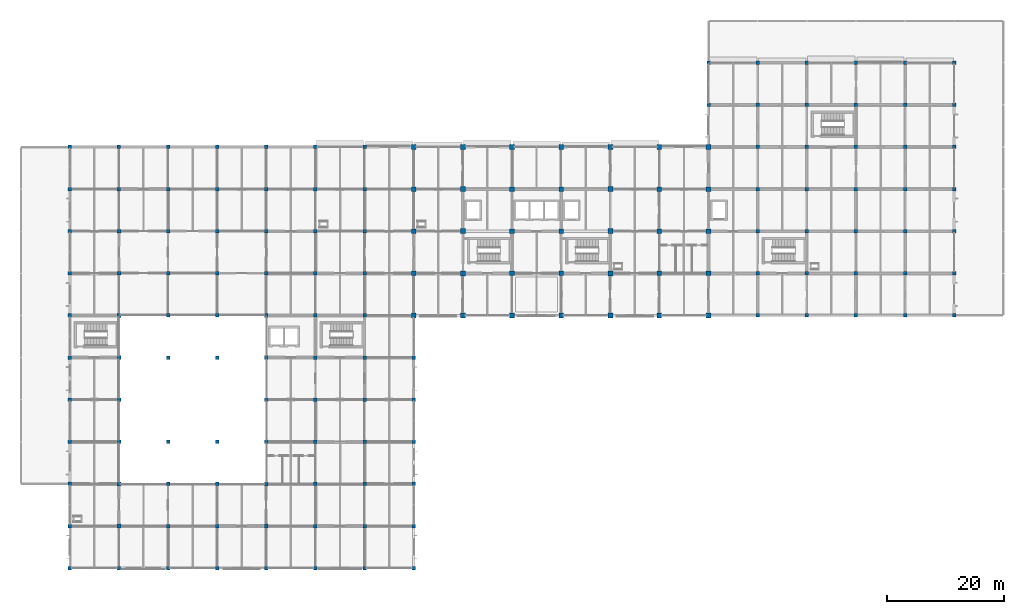
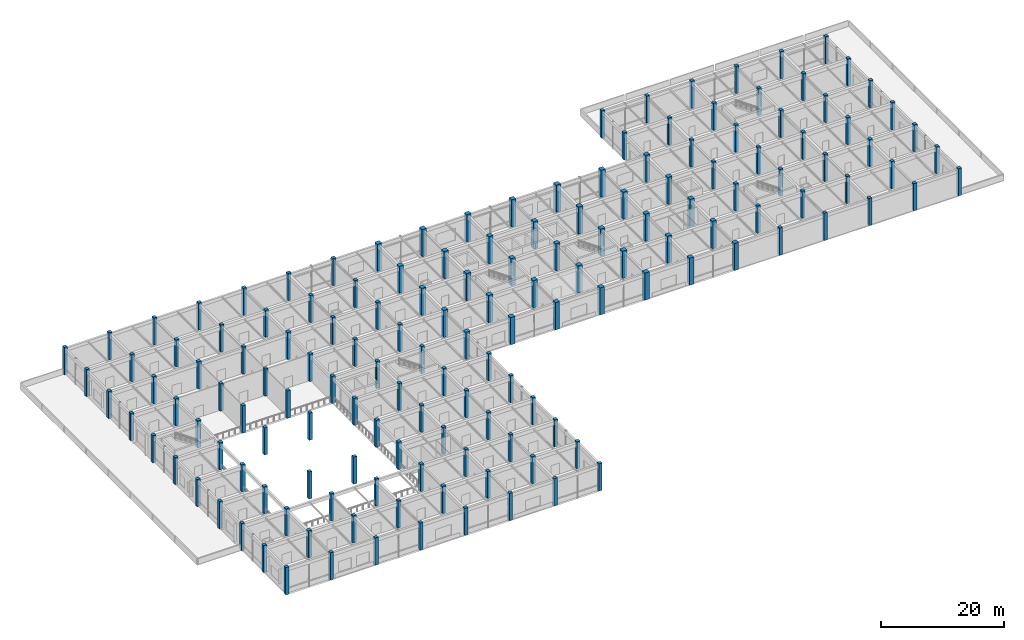
# One storey, part 1 of 38: 153 columns.
"""IFC4 building model written with IfcOpenShell, lengths in metres."""

from ifc_helpers import new_model, si_unit, derived_unit, direction, frame, origin, origin_2d, place, context, subcontext, project, spatial, rectangle, extrude, material, material_profile, profile_set, type_object, element, save


model = new_model("IFC4")

# Units and contexts
model_context = context("Model", 3, precision=1e-05, world=origin(), true_north=direction((0.0, 1.0)))
body_context = subcontext(model_context, "Body", "Model", "MODEL_VIEW")
ifc_project = project(units=[si_unit("LENGTHUNIT", "METRE"), si_unit("AREAUNIT", "SQUARE_METRE"), si_unit("VOLUMEUNIT", "CUBIC_METRE"), si_unit("PLANEANGLEUNIT", "RADIAN"), si_unit("MASSUNIT", "GRAM", prefix="KILO"), derived_unit("THERMALTRANSMITTANCEUNIT", [(si_unit("MASSUNIT", "GRAM", prefix="KILO"), 1), (si_unit("TIMEUNIT", "SECOND"), -3), (si_unit("THERMODYNAMICTEMPERATUREUNIT", "KELVIN"), -1)])], contexts=[model_context])

# Site, building, storey
site_placement = place(None, origin())
site = spatial("IfcSite", under=ifc_project, at=site_placement, CompositionType="ELEMENT")
building_placement = place(site_placement, origin())
building = spatial("IfcBuilding", under=site, at=building_placement, Name="Veldstrom Oceanarium and Marine Research Institute", CompositionType="ELEMENT")
storey_placement = place(building_placement, frame((0.0, 0.0, 11.39990234375)))
storey = spatial("IfcBuildingStorey", under=building, at=storey_placement, Name="L02", CompositionType="ELEMENT", Elevation=11.39990234375)

# Columns
ifc_material_1 = material(Name="Concrete C50/60", Category="concrete")
ifc_material_profile_1 = material_profile(ifc_material_1, rectangle(XDim=0.85009765625, YDim=0.85009765625, at=origin_2d()), Name="RC-COL-850x850")
ifc_profile_set_1 = profile_set([ifc_material_profile_1], Name="Concrete C50/60")
column_type_1 = type_object("IfcColumnType", Name="STR-COL-C03", PredefinedType="COLUMN", material=ifc_profile_set_1)
for number, where, z_axis, x_axis, name in (
    (1, (75.60009765625, 43.199951171875, 0.0), (0.0, 0.0, 1.0), (1.0, 0.0, 0.0), "Column C03 10/G L02"),
    (2, (75.60009765625, 50.39990234375, 0.0), (0.0, 0.0, 1.0), (1.0, 0.0, 0.0), "Column C03 10/H L02"),
    (3, (75.60009765625, 57.60009765625, 0.0), (0.0, 0.0, 1.0), (1.0, 0.0, 0.0), "Column C03 10/J L02"),
    (4, (75.60009765625, 64.800048828125, 0.0), (0.0, 0.0, 1.0), (1.0, 0.0, 0.0), "Column C03 10/K L02"),
    (5, (75.60009765625, 72.0, 0.0), (0.0, 0.0, 1.0), (1.0, 0.0, 0.0), "Column C03 10/L L02"),
    (6, (100.800048828125, 43.199951171875, 0.0), (0.0, 0.0, 1.0), (1.0, 0.0, 0.0), "Column C03 13/G L02"),
    (7, (100.800048828125, 50.39990234375, 0.0), (0.0, 0.0, 1.0), (1.0, 0.0, 0.0), "Column C03 13/H L02"),
    (8, (100.800048828125, 57.60009765625, 0.0), (0.0, 0.0, 1.0), (1.0, 0.0, 0.0), "Column C03 13/J L02"),
    (9, (100.800048828125, 64.800048828125, 0.0), (0.0, 0.0, 1.0), (1.0, 0.0, 0.0), "Column C03 13/K L02"),
    (10, (100.800048828125, 72.0, 0.0), (0.0, 0.0, 1.0), (1.0, 0.0, 0.0), "Column C03 13/L L02"),
):
    element("IfcColumn", number, at=place(storey_placement, frame(where, z_axis=z_axis, x_axis=x_axis)), inside=storey, type_object=column_type_1, Name=name, PredefinedType="COLUMN", context=body_context, shape_type="SweptSolid", body=[
        extrude(rectangle(XDim=0.85009765625, YDim=0.85009765625, at=origin_2d()), origin(), (0.0, 0.0, 1.0), 5.400146484375),
    ])
ifc_material_2 = material(Name="Concrete C50/60", Category="concrete")
ifc_material_profile_2 = material_profile(ifc_material_2, rectangle(XDim=0.800048828125, YDim=0.800048828125, at=origin_2d()), Name="RC-COL-800x800")
ifc_profile_set_2 = profile_set([ifc_material_profile_2], Name="Concrete C50/60")
column_type_2 = type_object("IfcColumnType", Name="STR-COL-C04", PredefinedType="COLUMN", material=ifc_profile_set_2)
for number, where, z_axis, x_axis, name in (
    (11, (67.199951171875, 43.199951171875, 0.0), (0.0, 0.0, 1.0), (1.0, 0.0, 0.0), "Column C04 9/G L02"),
    (12, (67.199951171875, 50.39990234375, 0.0), (0.0, 0.0, 1.0), (1.0, 0.0, 0.0), "Column C04 9/H L02"),
    (13, (67.199951171875, 57.60009765625, 0.0), (0.0, 0.0, 1.0), (1.0, 0.0, 0.0), "Column C04 9/J L02"),
    (14, (67.199951171875, 64.800048828125, 0.0), (0.0, 0.0, 1.0), (1.0, 0.0, 0.0), "Column C04 9/K L02"),
    (15, (67.199951171875, 72.0, 0.0), (0.0, 0.0, 1.0), (1.0, 0.0, 0.0), "Column C04 9/L L02"),
    (16, (84.0, 43.199951171875, 0.0), (0.0, 0.0, 1.0), (1.0, 0.0, 0.0), "Column C04 11/G L02"),
    (17, (84.0, 50.39990234375, 0.0), (0.0, 0.0, 1.0), (1.0, 0.0, 0.0), "Column C04 11/H L02"),
    (18, (84.0, 57.60009765625, 0.0), (0.0, 0.0, 1.0), (1.0, 0.0, 0.0), "Column C04 11/J L02"),
    (19, (84.0, 64.800048828125, 0.0), (0.0, 0.0, 1.0), (1.0, 0.0, 0.0), "Column C04 11/K L02"),
    (20, (84.0, 72.0, 0.0), (0.0, 0.0, 1.0), (1.0, 0.0, 0.0), "Column C04 11/L L02"),
    (21, (92.39990234375, 43.199951171875, 0.0), (0.0, 0.0, 1.0), (1.0, 0.0, 0.0), "Column C04 12/G L02"),
    (22, (92.39990234375, 50.39990234375, 0.0), (0.0, 0.0, 1.0), (1.0, 0.0, 0.0), "Column C04 12/H L02"),
    (23, (92.39990234375, 57.60009765625, 0.0), (0.0, 0.0, 1.0), (1.0, 0.0, 0.0), "Column C04 12/J L02"),
    (24, (92.39990234375, 64.800048828125, 0.0), (0.0, 0.0, 1.0), (1.0, 0.0, 0.0), "Column C04 12/K L02"),
    (25, (92.39990234375, 72.0, 0.0), (0.0, 0.0, 1.0), (1.0, 0.0, 0.0), "Column C04 12/L L02"),
    (26, (109.199951171875, 43.199951171875, 0.0), (0.0, 0.0, 1.0), (1.0, 0.0, 0.0), "Column C04 14/G L02"),
    (27, (109.199951171875, 50.39990234375, 0.0), (0.0, 0.0, 1.0), (1.0, 0.0, 0.0), "Column C04 14/H L02"),
    (28, (109.199951171875, 57.60009765625, 0.0), (0.0, 0.0, 1.0), (1.0, 0.0, 0.0), "Column C04 14/J L02"),
    (29, (109.199951171875, 64.800048828125, 0.0), (0.0, 0.0, 1.0), (1.0, 0.0, 0.0), "Column C04 14/K L02"),
    (30, (109.199951171875, 72.0, 0.0), (0.0, 0.0, 1.0), (1.0, 0.0, 0.0), "Column C04 14/L L02"),
    (31, (117.60009765625, 43.199951171875, 0.0), (0.0, 0.0, 1.0), (1.0, 0.0, 0.0), "Column C04 15/G L02"),
    (32, (117.60009765625, 50.39990234375, 0.0), (0.0, 0.0, 1.0), (1.0, 0.0, 0.0), "Column C04 15/H L02"),
    (33, (117.60009765625, 57.60009765625, 0.0), (0.0, 0.0, 1.0), (1.0, 0.0, 0.0), "Column C04 15/J L02"),
    (34, (117.60009765625, 64.800048828125, 0.0), (0.0, 0.0, 1.0), (1.0, 0.0, 0.0), "Column C04 15/K L02"),
    (35, (117.60009765625, 72.0, 0.0), (0.0, 0.0, 1.0), (1.0, 0.0, 0.0), "Column C04 15/L L02"),
):
    element("IfcColumn", number, at=place(storey_placement, frame(where, z_axis=z_axis, x_axis=x_axis)), inside=storey, type_object=column_type_2, Name=name, PredefinedType="COLUMN", context=body_context, shape_type="SweptSolid", body=[
        extrude(rectangle(XDim=0.800048828125, YDim=0.800048828125, at=origin_2d()), origin(), (0.0, 0.0, 1.0), 5.400146484375),
    ])
ifc_material_3 = material(Name="Concrete C50/60", Category="concrete")
ifc_material_profile_3 = material_profile(ifc_material_3, rectangle(XDim=0.64990234375, YDim=0.64990234375, at=origin_2d()), Name="RC-COL-650x650")
ifc_profile_set_3 = profile_set([ifc_material_profile_3], Name="Concrete C50/60")
column_type_3 = type_object("IfcColumnType", Name="STR-COL-C07", PredefinedType="COLUMN", material=ifc_profile_set_3)
for number, where, z_axis, x_axis, name in (
    (36, (16.800048828125, 7.199951171875, 0.0), (0.0, 0.0, 1.0), (1.0, 0.0, 0.0), "Column C07 3/B L02"),
    (37, (16.800048828125, 14.39990234375, 0.0), (0.0, 0.0, 1.0), (1.0, 0.0, 0.0), "Column C07 3/C L02"),
    (38, (16.800048828125, 21.60009765625, 0.0), (0.0, 0.0, 1.0), (1.0, 0.0, 0.0), "Column C07 3/D L02"),
    (39, (16.800048828125, 28.800048828125, 0.0), (0.0, 0.0, 1.0), (1.0, 0.0, 0.0), "Column C07 3/E L02"),
    (40, (16.800048828125, 36.0, 0.0), (0.0, 0.0, 1.0), (1.0, 0.0, 0.0), "Column C07 3/F L02"),
    (41, (16.800048828125, 43.199951171875, 0.0), (0.0, 0.0, 1.0), (1.0, 0.0, 0.0), "Column C07 3/G L02"),
    (42, (16.800048828125, 50.39990234375, 0.0), (0.0, 0.0, 1.0), (1.0, 0.0, 0.0), "Column C07 3/H L02"),
    (43, (16.800048828125, 57.60009765625, 0.0), (0.0, 0.0, 1.0), (1.0, 0.0, 0.0), "Column C07 3/J L02"),
    (44, (42.0, 7.199951171875, 0.0), (0.0, 0.0, 1.0), (1.0, 0.0, 0.0), "Column C07 6/B L02"),
    (45, (42.0, 14.39990234375, 0.0), (0.0, 0.0, 1.0), (1.0, 0.0, 0.0), "Column C07 6/C L02"),
    (46, (42.0, 21.60009765625, 0.0), (0.0, 0.0, 1.0), (1.0, 0.0, 0.0), "Column C07 6/D L02"),
    (47, (42.0, 28.800048828125, 0.0), (0.0, 0.0, 1.0), (1.0, 0.0, 0.0), "Column C07 6/E L02"),
    (48, (42.0, 36.0, 0.0), (0.0, 0.0, 1.0), (1.0, 0.0, 0.0), "Column C07 6/F L02"),
    (49, (42.0, 43.199951171875, 0.0), (0.0, 0.0, 1.0), (1.0, 0.0, 0.0), "Column C07 6/G L02"),
    (50, (42.0, 50.39990234375, 0.0), (0.0, 0.0, 1.0), (1.0, 0.0, 0.0), "Column C07 6/H L02"),
    (51, (42.0, 57.60009765625, 0.0), (0.0, 0.0, 1.0), (1.0, 0.0, 0.0), "Column C07 6/J L02"),
):
    element("IfcColumn", number, at=place(storey_placement, frame(where, z_axis=z_axis, x_axis=x_axis)), inside=storey, type_object=column_type_3, Name=name, PredefinedType="COLUMN", context=body_context, shape_type="SweptSolid", body=[
        extrude(rectangle(XDim=0.64990234375, YDim=0.64990234375, at=origin_2d()), origin(), (0.0, 0.0, 1.0), 5.400146484375),
    ])
ifc_material_4 = material(Name="Concrete C50/60", Category="concrete")
ifc_material_profile_4 = material_profile(ifc_material_4, rectangle(XDim=0.60009765625, YDim=0.60009765625, at=origin_2d()), Name="RC-COL-600x600")
ifc_profile_set_4 = profile_set([ifc_material_profile_4], Name="Concrete C50/60")
column_type_4 = type_object("IfcColumnType", Name="STR-COL-C08", PredefinedType="COLUMN", material=ifc_profile_set_4)
for number, where, z_axis, x_axis, name in (
    (52, (8.39990234375, 0.0, 0.0), (0.0, 0.0, 1.0), (1.0, 0.0, 0.0), "Column C08 2/A L02"),
    (53, (8.39990234375, 7.199951171875, 0.0), (0.0, 0.0, 1.0), (1.0, 0.0, 0.0), "Column C08 2/B L02"),
    (54, (8.39990234375, 14.39990234375, 0.0), (0.0, 0.0, 1.0), (1.0, 0.0, 0.0), "Column C08 2/C L02"),
    (55, (8.39990234375, 21.60009765625, 0.0), (0.0, 0.0, 1.0), (1.0, 0.0, 0.0), "Column C08 2/D L02"),
    (56, (8.39990234375, 28.800048828125, 0.0), (0.0, 0.0, 1.0), (1.0, 0.0, 0.0), "Column C08 2/E L02"),
    (57, (8.39990234375, 36.0, 0.0), (0.0, 0.0, 1.0), (1.0, 0.0, 0.0), "Column C08 2/F L02"),
    (58, (8.39990234375, 43.199951171875, 0.0), (0.0, 0.0, 1.0), (1.0, 0.0, 0.0), "Column C08 2/G L02"),
    (59, (8.39990234375, 50.39990234375, 0.0), (0.0, 0.0, 1.0), (1.0, 0.0, 0.0), "Column C08 2/H L02"),
    (60, (8.39990234375, 57.60009765625, 0.0), (0.0, 0.0, 1.0), (1.0, 0.0, 0.0), "Column C08 2/J L02"),
    (61, (8.39990234375, 64.800048828125, 0.0), (0.0, 0.0, 1.0), (1.0, 0.0, 0.0), "Column C08 2/K L02"),
    (62, (8.39990234375, 72.0, 0.0), (0.0, 0.0, 1.0), (1.0, 0.0, 0.0), "Column C08 2/L L02"),
    (63, (16.800048828125, 0.0, 0.0), (0.0, 0.0, 1.0), (1.0, 0.0, 0.0), "Column C08 3/A L02"),
    (64, (16.800048828125, 64.800048828125, 0.0), (0.0, 0.0, 1.0), (1.0, 0.0, 0.0), "Column C08 3/K L02"),
    (65, (16.800048828125, 72.0, 0.0), (0.0, 0.0, 1.0), (1.0, 0.0, 0.0), "Column C08 3/L L02"),
    (66, (25.199951171875, 0.0, 0.0), (0.0, 0.0, 1.0), (1.0, 0.0, 0.0), "Column C08 4/A L02"),
    (67, (25.199951171875, 7.199951171875, 0.0), (0.0, 0.0, 1.0), (1.0, 0.0, 0.0), "Column C08 4/B L02"),
    (68, (25.199951171875, 14.39990234375, 0.0), (0.0, 0.0, 1.0), (1.0, 0.0, 0.0), "Column C08 4/C L02"),
    (69, (25.199951171875, 21.60009765625, 0.0), (0.0, 0.0, 1.0), (1.0, 0.0, 0.0), "Column C08 4/D L02"),
    (70, (25.199951171875, 36.0, 0.0), (0.0, 0.0, 1.0), (1.0, 0.0, 0.0), "Column C08 4/F L02"),
    (71, (25.199951171875, 43.199951171875, 0.0), (0.0, 0.0, 1.0), (1.0, 0.0, 0.0), "Column C08 4/G L02"),
    (72, (25.199951171875, 50.39990234375, 0.0), (0.0, 0.0, 1.0), (1.0, 0.0, 0.0), "Column C08 4/H L02"),
    (73, (25.199951171875, 57.60009765625, 0.0), (0.0, 0.0, 1.0), (1.0, 0.0, 0.0), "Column C08 4/J L02"),
    (74, (25.199951171875, 64.800048828125, 0.0), (0.0, 0.0, 1.0), (1.0, 0.0, 0.0), "Column C08 4/K L02"),
    (75, (25.199951171875, 72.0, 0.0), (0.0, 0.0, 1.0), (1.0, 0.0, 0.0), "Column C08 4/L L02"),
    (76, (33.60009765625, 0.0, 0.0), (0.0, 0.0, 1.0), (1.0, 0.0, 0.0), "Column C08 5/A L02"),
    (77, (33.60009765625, 7.199951171875, 0.0), (0.0, 0.0, 1.0), (1.0, 0.0, 0.0), "Column C08 5/B L02"),
    (78, (33.60009765625, 14.39990234375, 0.0), (0.0, 0.0, 1.0), (1.0, 0.0, 0.0), "Column C08 5/C L02"),
    (79, (33.60009765625, 21.60009765625, 0.0), (0.0, 0.0, 1.0), (1.0, 0.0, 0.0), "Column C08 5/D L02"),
    (80, (33.60009765625, 36.0, 0.0), (0.0, 0.0, 1.0), (1.0, 0.0, 0.0), "Column C08 5/F L02"),
    (81, (33.60009765625, 43.199951171875, 0.0), (0.0, 0.0, 1.0), (1.0, 0.0, 0.0), "Column C08 5/G L02"),
    (82, (33.60009765625, 50.39990234375, 0.0), (0.0, 0.0, 1.0), (1.0, 0.0, 0.0), "Column C08 5/H L02"),
    (83, (33.60009765625, 57.60009765625, 0.0), (0.0, 0.0, 1.0), (1.0, 0.0, 0.0), "Column C08 5/J L02"),
    (84, (33.60009765625, 64.800048828125, 0.0), (0.0, 0.0, 1.0), (1.0, 0.0, 0.0), "Column C08 5/K L02"),
    (85, (33.60009765625, 72.0, 0.0), (0.0, 0.0, 1.0), (1.0, 0.0, 0.0), "Column C08 5/L L02"),
    (86, (42.0, 0.0, 0.0), (0.0, 0.0, 1.0), (1.0, 0.0, 0.0), "Column C08 6/A L02"),
    (87, (42.0, 64.800048828125, 0.0), (0.0, 0.0, 1.0), (1.0, 0.0, 0.0), "Column C08 6/K L02"),
    (88, (42.0, 72.0, 0.0), (0.0, 0.0, 1.0), (1.0, 0.0, 0.0), "Column C08 6/L L02"),
    (89, (50.39990234375, 0.0, 0.0), (0.0, 0.0, 1.0), (1.0, 0.0, 0.0), "Column C08 7/A L02"),
    (90, (50.39990234375, 7.199951171875, 0.0), (0.0, 0.0, 1.0), (1.0, 0.0, 0.0), "Column C08 7/B L02"),
    (91, (50.39990234375, 14.39990234375, 0.0), (0.0, 0.0, 1.0), (1.0, 0.0, 0.0), "Column C08 7/C L02"),
    (92, (50.39990234375, 21.60009765625, 0.0), (0.0, 0.0, 1.0), (1.0, 0.0, 0.0), "Column C08 7/D L02"),
    (93, (50.39990234375, 28.800048828125, 0.0), (0.0, 0.0, 1.0), (1.0, 0.0, 0.0), "Column C08 7/E L02"),
    (94, (50.39990234375, 36.0, 0.0), (0.0, 0.0, 1.0), (1.0, 0.0, 0.0), "Column C08 7/F L02"),
    (95, (50.39990234375, 43.199951171875, 0.0), (0.0, 0.0, 1.0), (1.0, 0.0, 0.0), "Column C08 7/G L02"),
    (96, (50.39990234375, 50.39990234375, 0.0), (0.0, 0.0, 1.0), (1.0, 0.0, 0.0), "Column C08 7/H L02"),
    (97, (50.39990234375, 57.60009765625, 0.0), (0.0, 0.0, 1.0), (1.0, 0.0, 0.0), "Column C08 7/J L02"),
    (98, (50.39990234375, 64.800048828125, 0.0), (0.0, 0.0, 1.0), (1.0, 0.0, 0.0), "Column C08 7/K L02"),
    (99, (50.39990234375, 72.0, 0.0), (0.0, 0.0, 1.0), (1.0, 0.0, 0.0), "Column C08 7/L L02"),
    (100, (58.800048828125, 0.0, 0.0), (0.0, 0.0, 1.0), (1.0, 0.0, 0.0), "Column C08 8/A L02"),
    (101, (58.800048828125, 7.199951171875, 0.0), (0.0, 0.0, 1.0), (1.0, 0.0, 0.0), "Column C08 8/B L02"),
    (102, (58.800048828125, 14.39990234375, 0.0), (0.0, 0.0, 1.0), (1.0, 0.0, 0.0), "Column C08 8/C L02"),
    (103, (58.800048828125, 21.60009765625, 0.0), (0.0, 0.0, 1.0), (1.0, 0.0, 0.0), "Column C08 8/D L02"),
    (104, (58.800048828125, 28.800048828125, 0.0), (0.0, 0.0, 1.0), (1.0, 0.0, 0.0), "Column C08 8/E L02"),
    (105, (58.800048828125, 36.0, 0.0), (0.0, 0.0, 1.0), (1.0, 0.0, 0.0), "Column C08 8/F L02"),
    (106, (58.800048828125, 43.199951171875, 0.0), (0.0, 0.0, 1.0), (1.0, 0.0, 0.0), "Column C08 8/G L02"),
    (107, (58.800048828125, 50.39990234375, 0.0), (0.0, 0.0, 1.0), (1.0, 0.0, 0.0), "Column C08 8/H L02"),
    (108, (58.800048828125, 57.60009765625, 0.0), (0.0, 0.0, 1.0), (1.0, 0.0, 0.0), "Column C08 8/J L02"),
    (109, (58.800048828125, 64.800048828125, 0.0), (0.0, 0.0, 1.0), (1.0, 0.0, 0.0), "Column C08 8/K L02"),
    (110, (58.800048828125, 72.0, 0.0), (0.0, 0.0, 1.0), (1.0, 0.0, 0.0), "Column C08 8/L L02"),
    (111, (67.199951171875, 0.0, 0.0), (0.0, 0.0, 1.0), (1.0, 0.0, 0.0), "Column C08 9/A L02"),
    (112, (67.199951171875, 7.199951171875, 0.0), (0.0, 0.0, 1.0), (1.0, 0.0, 0.0), "Column C08 9/B L02"),
    (113, (67.199951171875, 14.39990234375, 0.0), (0.0, 0.0, 1.0), (1.0, 0.0, 0.0), "Column C08 9/C L02"),
    (114, (67.199951171875, 21.60009765625, 0.0), (0.0, 0.0, 1.0), (1.0, 0.0, 0.0), "Column C08 9/D L02"),
    (115, (67.199951171875, 28.800048828125, 0.0), (0.0, 0.0, 1.0), (1.0, 0.0, 0.0), "Column C08 9/E L02"),
    (116, (67.199951171875, 36.0, 0.0), (0.0, 0.0, 1.0), (1.0, 0.0, 0.0), "Column C08 9/F L02"),
    (117, (117.60009765625, 79.199951171875, 0.0), (0.0, 0.0, 1.0), (1.0, 0.0, 0.0), "Column C08 15/M L02"),
    (118, (117.60009765625, 86.39990234375, 0.0), (0.0, 0.0, 1.0), (1.0, 0.0, 0.0), "Column C08 15/N L02"),
    (119, (126.0, 43.199951171875, 0.0), (0.0, 0.0, 1.0), (1.0, 0.0, 0.0), "Column C08 16/G L02"),
    (120, (126.0, 50.39990234375, 0.0), (0.0, 0.0, 1.0), (1.0, 0.0, 0.0), "Column C08 16/H L02"),
    (121, (126.0, 57.60009765625, 0.0), (0.0, 0.0, 1.0), (1.0, 0.0, 0.0), "Column C08 16/J L02"),
    (122, (126.0, 64.800048828125, 0.0), (0.0, 0.0, 1.0), (1.0, 0.0, 0.0), "Column C08 16/K L02"),
    (123, (126.0, 72.0, 0.0), (0.0, 0.0, 1.0), (1.0, 0.0, 0.0), "Column C08 16/L L02"),
    (124, (126.0, 79.199951171875, 0.0), (0.0, 0.0, 1.0), (1.0, 0.0, 0.0), "Column C08 16/M L02"),
    (125, (126.0, 86.39990234375, 0.0), (0.0, 0.0, 1.0), (1.0, 0.0, 0.0), "Column C08 16/N L02"),
    (126, (134.39990234375, 43.199951171875, 0.0), (0.0, 0.0, 1.0), (1.0, 0.0, 0.0), "Column C08 17/G L02"),
    (127, (134.39990234375, 50.39990234375, 0.0), (0.0, 0.0, 1.0), (1.0, 0.0, 0.0), "Column C08 17/H L02"),
    (128, (134.39990234375, 57.60009765625, 0.0), (0.0, 0.0, 1.0), (1.0, 0.0, 0.0), "Column C08 17/J L02"),
    (129, (134.39990234375, 64.800048828125, 0.0), (0.0, 0.0, 1.0), (1.0, 0.0, 0.0), "Column C08 17/K L02"),
    (130, (134.39990234375, 72.0, 0.0), (0.0, 0.0, 1.0), (1.0, 0.0, 0.0), "Column C08 17/L L02"),
    (131, (134.39990234375, 79.199951171875, 0.0), (0.0, 0.0, 1.0), (1.0, 0.0, 0.0), "Column C08 17/M L02"),
    (132, (134.39990234375, 86.39990234375, 0.0), (0.0, 0.0, 1.0), (1.0, 0.0, 0.0), "Column C08 17/N L02"),
    (133, (142.800048828125, 43.199951171875, 0.0), (0.0, 0.0, 1.0), (1.0, 0.0, 0.0), "Column C08 18/G L02"),
    (134, (142.800048828125, 50.39990234375, 0.0), (0.0, 0.0, 1.0), (1.0, 0.0, 0.0), "Column C08 18/H L02"),
    (135, (142.800048828125, 57.60009765625, 0.0), (0.0, 0.0, 1.0), (1.0, 0.0, 0.0), "Column C08 18/J L02"),
    (136, (142.800048828125, 64.800048828125, 0.0), (0.0, 0.0, 1.0), (1.0, 0.0, 0.0), "Column C08 18/K L02"),
    (137, (142.800048828125, 72.0, 0.0), (0.0, 0.0, 1.0), (1.0, 0.0, 0.0), "Column C08 18/L L02"),
    (138, (142.800048828125, 79.199951171875, 0.0), (0.0, 0.0, 1.0), (1.0, 0.0, 0.0), "Column C08 18/M L02"),
    (139, (142.800048828125, 86.39990234375, 0.0), (0.0, 0.0, 1.0), (1.0, 0.0, 0.0), "Column C08 18/N L02"),
    (140, (151.199951171875, 43.199951171875, 0.0), (0.0, 0.0, 1.0), (1.0, 0.0, 0.0), "Column C08 19/G L02"),
    (141, (151.199951171875, 50.39990234375, 0.0), (0.0, 0.0, 1.0), (1.0, 0.0, 0.0), "Column C08 19/H L02"),
    (142, (151.199951171875, 57.60009765625, 0.0), (0.0, 0.0, 1.0), (1.0, 0.0, 0.0), "Column C08 19/J L02"),
    (143, (151.199951171875, 64.800048828125, 0.0), (0.0, 0.0, 1.0), (1.0, 0.0, 0.0), "Column C08 19/K L02"),
    (144, (151.199951171875, 72.0, 0.0), (0.0, 0.0, 1.0), (1.0, 0.0, 0.0), "Column C08 19/L L02"),
    (145, (151.199951171875, 79.199951171875, 0.0), (0.0, 0.0, 1.0), (1.0, 0.0, 0.0), "Column C08 19/M L02"),
    (146, (151.199951171875, 86.39990234375, 0.0), (0.0, 0.0, 1.0), (1.0, 0.0, 0.0), "Column C08 19/N L02"),
    (147, (159.60009765625, 43.199951171875, 0.0), (0.0, 0.0, 1.0), (1.0, 0.0, 0.0), "Column C08 20/G L02"),
    (148, (159.60009765625, 50.39990234375, 0.0), (0.0, 0.0, 1.0), (1.0, 0.0, 0.0), "Column C08 20/H L02"),
    (149, (159.60009765625, 57.60009765625, 0.0), (0.0, 0.0, 1.0), (1.0, 0.0, 0.0), "Column C08 20/J L02"),
    (150, (159.60009765625, 64.800048828125, 0.0), (0.0, 0.0, 1.0), (1.0, 0.0, 0.0), "Column C08 20/K L02"),
    (151, (159.60009765625, 72.0, 0.0), (0.0, 0.0, 1.0), (1.0, 0.0, 0.0), "Column C08 20/L L02"),
    (152, (159.60009765625, 79.199951171875, 0.0), (0.0, 0.0, 1.0), (1.0, 0.0, 0.0), "Column C08 20/M L02"),
    (153, (159.60009765625, 86.39990234375, 0.0), (0.0, 0.0, 1.0), (1.0, 0.0, 0.0), "Column C08 20/N L02"),
):
    element("IfcColumn", number, at=place(storey_placement, frame(where, z_axis=z_axis, x_axis=x_axis)), inside=storey, type_object=column_type_4, Name=name, PredefinedType="COLUMN", context=body_context, shape_type="SweptSolid", body=[
        extrude(rectangle(XDim=0.60009765625, YDim=0.60009765625, at=origin_2d()), origin(), (0.0, 0.0, 1.0), 5.400146484375),
    ])

save(model, "model.ifc")
